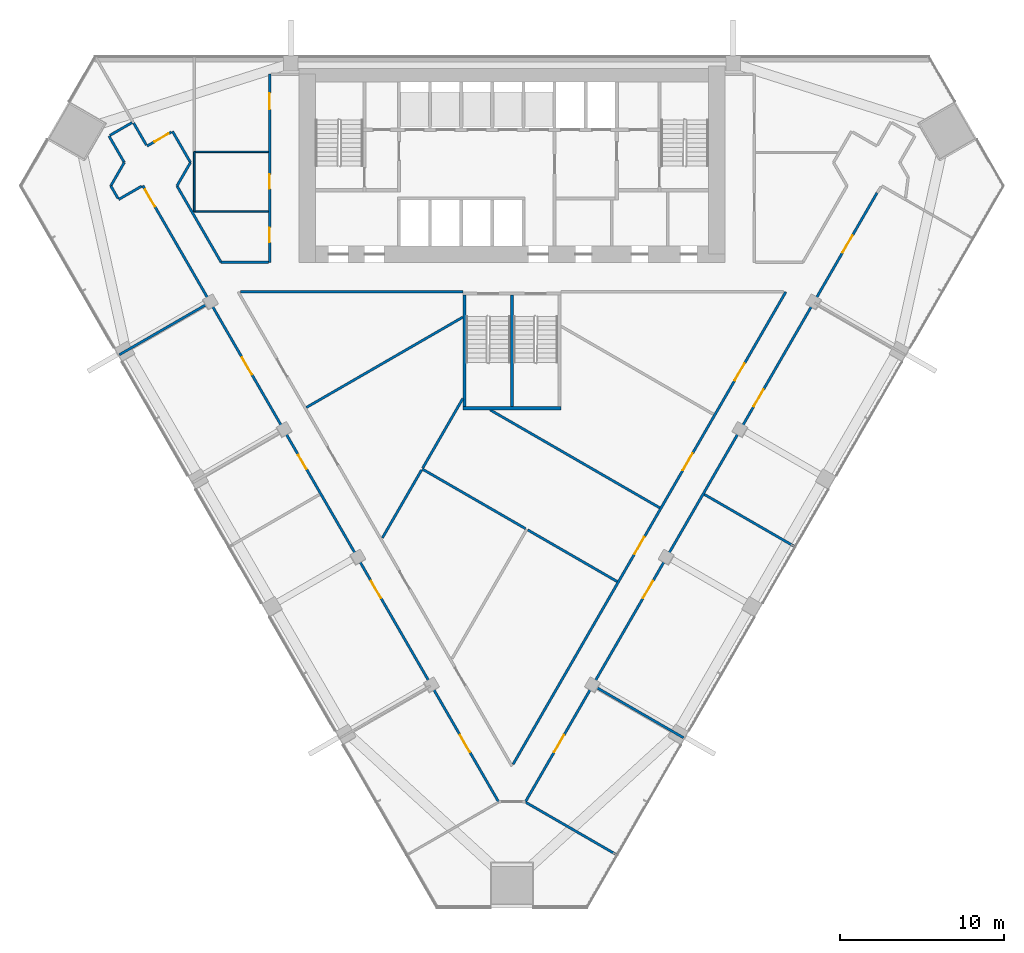
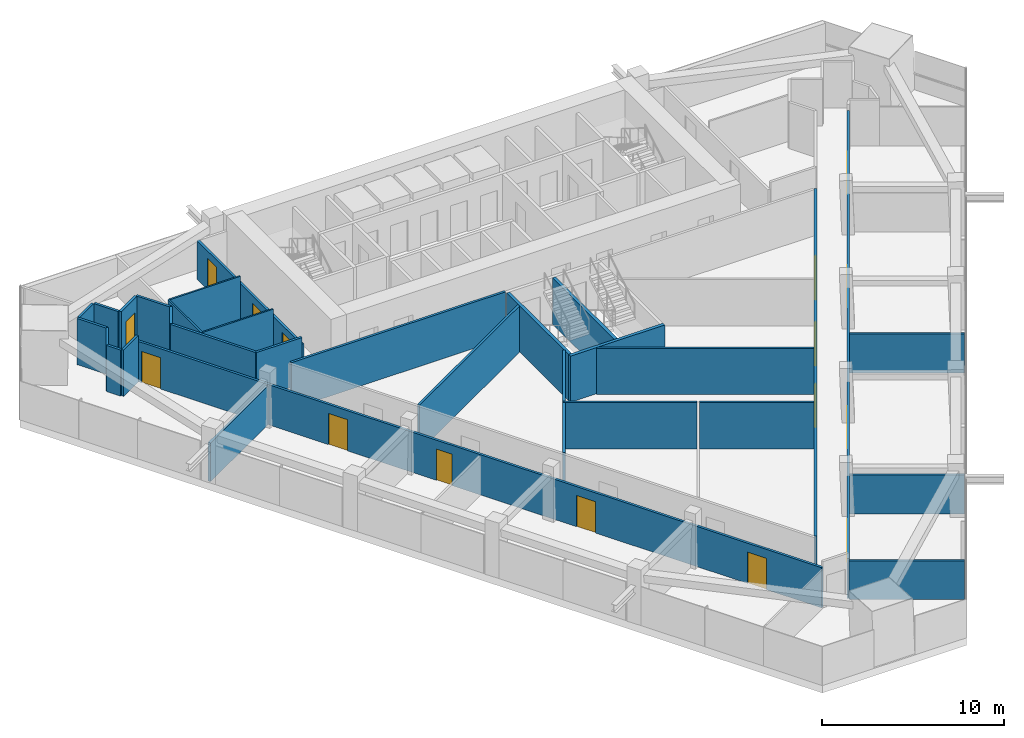
# One storey, part 9 of 13: 32 walls, 16 doors, 16 openings.
"""IFC4 building model written with IfcOpenShell, lengths in metres."""

import ifcopenshell
import ifcopenshell.guid

model = None  # the IFC model being written
_history = None  # IfcOwnerHistory: only IFC2X3 demands one
_inside = {}  # id of a spatial element -> (the spatial element, [elements in it])
_under = {}  # id of a project, library or spatial element -> (it, [spatial elements below it])
_declared = {}  # id of a project -> (the project, [libraries it declares])
_typed = {}  # id of a type object -> (the type object, [elements of that type])
_made_of = {}  # id of a material, layer set ... -> (it, [elements and type objects made of it])


def new_model(schema):
    """Start an empty IFC model of exactly this schema.

    Asked for "IFC4X3", IfcOpenShell would pick the latest addendum, in which some entities
    have other attributes; the version numbers below select the first issue.
    IFC2X3 requires an IfcOwnerHistory on every rooted entity: one is made here for all.
    """
    global model, _history
    if schema == "IFC4X3":
        model = ifcopenshell.file(schema_version=(4, 3, 0, 0))
    else:
        model = ifcopenshell.file(schema=schema)
    _inside.clear()
    _under.clear()
    _declared.clear()
    _typed.clear()
    _made_of.clear()
    _history = None
    if model.schema == "IFC2X3":
        org = make("IfcOrganization", Name="unknown")
        user = make(
            "IfcPersonAndOrganization",
            ThePerson=make("IfcPerson", FamilyName="unknown"),
            TheOrganization=org,
        )
        app = make(
            "IfcApplication",
            ApplicationDeveloper=org,
            Version="unknown",
            ApplicationFullName="unknown",
            ApplicationIdentifier="unknown",
        )
        _history = make(
            "IfcOwnerHistory",
            OwningUser=user,
            OwningApplication=app,
            ChangeAction="ADDED",
            CreationDate=0,
        )
    return model


def make(cls, **values):
    """One entity of the class cls with the attributes given. An attribute that is None is left unset."""
    return model.create_entity(
        cls, **{name: value for name, value in values.items() if value is not None}
    )


def rooted(cls, **values):
    """An entity with a GlobalId (a new one), such as an element, a storey or a relation."""
    return make(cls, GlobalId=ifcopenshell.guid.new(), OwnerHistory=_history, **values)


def si_unit(unit_type, name, prefix=None):
    """IfcSIUnit, for example si_unit("LENGTHUNIT", "METRE", prefix="MILLI")."""
    return make("IfcSIUnit", UnitType=unit_type, Prefix=prefix, Name=name)


def assignment(units):
    """IfcUnitAssignment: the units of a project."""
    return None if units is None else make("IfcUnitAssignment", Units=units)


def point(xyz):
    """IfcCartesianPoint."""
    return None if xyz is None else make("IfcCartesianPoint", Coordinates=xyz)


def direction(xyz):
    """IfcDirection."""
    return None if xyz is None else make("IfcDirection", DirectionRatios=xyz)


def frame(location, z_axis=None, x_axis=None):
    """IfcAxis2Placement3D, a coordinate frame: its origin and axes. An axis left out is left unset."""
    return make(
        "IfcAxis2Placement3D",
        Location=point(location),
        Axis=direction(z_axis),
        RefDirection=direction(x_axis),
    )


def frame_2d(location, x_axis=None):
    """IfcAxis2Placement2D, a coordinate frame in the plane: its origin and x axis."""
    return make(
        "IfcAxis2Placement2D", Location=point(location), RefDirection=direction(x_axis)
    )


def origin():
    """The frame at (0, 0, 0) with its axes left unset."""
    return frame((0.0, 0.0, 0.0))


def place(relative_to, where):
    """IfcLocalPlacement: puts the frame where relative to a parent placement (None: the world)."""
    return make(
        "IfcLocalPlacement", PlacementRelTo=relative_to, RelativePlacement=where
    )


def context(
    kind, dimensions, precision=None, world=None, true_north=None, identifier=None
):
    """IfcGeometricRepresentationContext, for example the 3D "Model" context."""
    return make(
        "IfcGeometricRepresentationContext",
        ContextIdentifier=identifier,
        ContextType=kind,
        CoordinateSpaceDimension=dimensions,
        Precision=precision,
        WorldCoordinateSystem=world,
        TrueNorth=true_north,
    )


def subcontext(parent, identifier, kind, view, scale=None):
    """IfcGeometricRepresentationSubContext, for example "Body" below "Model"."""
    return make(
        "IfcGeometricRepresentationSubContext",
        ContextIdentifier=identifier,
        ContextType=kind,
        ParentContext=parent,
        TargetScale=scale,
        TargetView=view,
    )


def project(units=None, contexts=None):
    """IfcProject with its units and contexts."""
    return rooted(
        "IfcProject",
        Name="project",
        RepresentationContexts=contexts,
        UnitsInContext=assignment(units),
    )


def spatial(cls, under=None, at=None, **own):
    """A site, building, storey or space (cls), placed at a placement, below another one or the project."""
    s = rooted(cls, ObjectPlacement=at, **own)
    if under is not None:
        _under.setdefault(under.id(), (under, []))[1].append(s)
    return s


def profile(cls, at=None, kind="AREA", **sizes):
    """A parametric profile (cls). Its sizes go by their IFC names, for example OverallWidth=200.0."""
    return make(cls, ProfileType=kind, Position=at, **sizes)


def rectangle(**sizes):
    """IfcRectangleProfileDef."""
    return profile("IfcRectangleProfileDef", **sizes)


def extrude(swept, where, along, depth):
    """IfcExtrudedAreaSolid: the profile swept, set in the frame where, extruded along a direction by depth."""
    return make(
        "IfcExtrudedAreaSolid",
        SweptArea=swept,
        Position=where,
        ExtrudedDirection=direction(along),
        Depth=depth,
    )


def shape(context_of_items, identifier, shape_type, items):
    """IfcShapeRepresentation: the items that make up one representation, for example the "Body"."""
    return make(
        "IfcShapeRepresentation",
        ContextOfItems=context_of_items,
        RepresentationIdentifier=identifier,
        RepresentationType=shape_type,
        Items=items,
    )


def material(Name=None, Category=None):
    """IfcMaterial."""
    return make("IfcMaterial", Name=Name, Category=Category)


def layer(
    of_material, thickness, ventilated=None, Name=None, Category=None, Priority=None
):
    """IfcMaterialLayer: one layer of a wall or slab, of a material (None: an air gap)."""
    return make(
        "IfcMaterialLayer",
        Material=of_material,
        LayerThickness=thickness,
        IsVentilated=ventilated,
        Name=Name,
        Category=Category,
        Priority=Priority,
    )


def layer_set(layers, Name=None):
    """IfcMaterialLayerSet."""
    return make("IfcMaterialLayerSet", MaterialLayers=layers, LayerSetName=Name)


def made_of(thing, what):
    """Note that an element or type object is made of a material, layer set ...; save() writes the relation."""
    if what is not None:
        _made_of.setdefault(what.id(), (what, []))[1].append(thing)
    return thing


def type_object(cls, material=None, **own):
    """A type object (cls), such as IfcWallType, which elements share."""
    return made_of(rooted(cls, **own), material)


def element(
    cls,
    number,
    at=None,
    inside=None,
    cuts=None,
    type_object=None,
    material=None,
    context=None,
    identifier="Body",
    shape_type=None,
    held_by="IfcProductDefinitionShape",
    body=None,
    shapes=None,
    **own,
):
    """One element of the class cls, such as IfcWall. Its Tag is "e" and its number.

    at: its placement. inside: the storey or other place that contains it. cuts: it is an
    opening in that element (IfcRelVoidsElement). A single representation is given by context,
    identifier, shape_type and body (its items); several are given by shapes. held_by: the class
    of the entity that holds the representations. save() writes the other relations.
    """
    e = rooted(cls, Tag="e%d" % number, ObjectPlacement=at, **own)
    if body is not None:
        shapes = [shape(context, identifier, shape_type, body)]
    if shapes is not None:
        e.Representation = make(held_by, Representations=shapes)
    if inside is not None:
        _inside.setdefault(inside.id(), (inside, []))[1].append(e)
    if cuts is not None:
        rooted(
            "IfcRelVoidsElement", RelatingBuildingElement=cuts, RelatedOpeningElement=e
        )
    if type_object is not None:
        _typed.setdefault(type_object.id(), (type_object, []))[1].append(e)
    return made_of(e, material)


def fill(opening, filler):
    """IfcRelFillsElement: the door or window that sits in an opening."""
    return rooted(
        "IfcRelFillsElement",
        RelatingOpeningElement=opening,
        RelatedBuildingElement=filler,
    )


def aggregate(whole, parts):
    """IfcRelAggregates: a whole, such as a stair, and the parts it consists of."""
    return rooted("IfcRelAggregates", RelatingObject=whole, RelatedObjects=parts)


def save(model, path):
    """Write the relations noted so far, then the file.

    IfcRelAggregates (storeys below a building ...), IfcRelContainedInSpatialStructure (elements
    in a storey), IfcRelDefinesByType, IfcRelAssociatesMaterial and IfcRelDeclares: one each for
    every whole, place, type object, material and project.
    """
    for whole, parts in _under.values():
        aggregate(whole, parts)
    for where, things in _inside.values():
        rooted(
            "IfcRelContainedInSpatialStructure",
            RelatedElements=things,
            RelatingStructure=where,
        )
    for kind, things in _typed.values():
        rooted("IfcRelDefinesByType", RelatedObjects=things, RelatingType=kind)
    for what, things in _made_of.values():
        rooted("IfcRelAssociatesMaterial", RelatedObjects=things, RelatingMaterial=what)
    for by, libraries in _declared.values():
        rooted("IfcRelDeclares", RelatingContext=by, RelatedDefinitions=libraries)
    model.write(path)


model = new_model("IFC4")

# Units and contexts
model_context = context("Model", 3, precision=1e-05, world=origin(), true_north=direction((0.0, 1.0)))
body_context = subcontext(model_context, "Body", "Model", "MODEL_VIEW")
ifc_project = project(units=[si_unit("LENGTHUNIT", "METRE"), si_unit("AREAUNIT", "SQUARE_METRE"), si_unit("VOLUMEUNIT", "CUBIC_METRE"), si_unit("PLANEANGLEUNIT", "RADIAN"), si_unit("MASSUNIT", "GRAM", prefix="KILO")], contexts=[model_context])

# Site, building, storey
site_placement = place(None, origin())
site = spatial("IfcSite", under=ifc_project, at=site_placement, CompositionType="ELEMENT")
building_placement = place(site_placement, origin())
building = spatial("IfcBuilding", under=site, at=building_placement, Name="Altiplano Prism Tower", CompositionType="ELEMENT")
storey_placement = place(building_placement, frame((0.0, 0.0, 66.60009765625)))
storey = spatial("IfcBuildingStorey", under=building, at=storey_placement, Name="L16", CompositionType="ELEMENT", Elevation=66.60009765625)

# Walls
ifc_material_1 = material(Name="Plasterboard on steel stud", Category="steel")
ifc_layer_1 = layer(ifc_material_1, 0.10009765625)
ifc_layer_set_1 = layer_set([ifc_layer_1], Name="Plasterboard on steel stud")
wall_type_1 = type_object("IfcWallType", Name="Partition 100 wet", PredefinedType="PARTITIONING", material=ifc_layer_set_1)
wall_1_placement = place(storey_placement, frame((70.125, 95.518310546875, 0.0), z_axis=(0.0, 0.0, 1.0), x_axis=(-1.0, 0.0, 0.0)))
element("IfcWall", 1, at=wall_1_placement, inside=storey, type_object=wall_type_1, Name="Partition P03 L16 035", PredefinedType="PARTITIONING", context=body_context, shape_type="SweptSolid", body=[
    extrude(rectangle(XDim=4.52099609375, YDim=0.10009765625, at=frame_2d((2.260498046875, 0.0))), origin(), (0.0, 0.0, 1.0), 3.099853515625),
])
wall_2_placement = place(storey_placement, frame((65.60400390625, 99.167724609375, 0.0), z_axis=(0.0, 0.0, 1.0), x_axis=(0.0, -1.0, 0.0)))
element("IfcWall", 2, at=wall_2_placement, inside=storey, type_object=wall_type_1, Name="Partition P03 L16 036", PredefinedType="PARTITIONING", context=body_context, shape_type="SweptSolid", body=[
    extrude(rectangle(XDim=3.66943359375, YDim=0.10009765625, at=frame_2d((1.834716796875, 0.0))), origin(), (0.0, 0.0, 1.0), 3.099853515625),
])
wall_3_placement = place(storey_placement, frame((70.125, 99.147705078125, 0.0), z_axis=(0.0, 0.0, 1.0), x_axis=(-1.0, 0.0, 0.0)))
element("IfcWall", 3, at=wall_3_placement, inside=storey, type_object=wall_type_1, Name="Partition P03 L16 037", PredefinedType="PARTITIONING", context=body_context, shape_type="SweptSolid", body=[
    extrude(rectangle(XDim=4.52099609375, YDim=0.10009765625, at=frame_2d((2.260498046875, 0.0))), origin(), (0.0, 0.0, 1.0), 3.099853515625),
])
ifc_layer_2 = layer(ifc_material_1, 0.14990234375)
ifc_layer_set_2 = layer_set([ifc_layer_2], Name="Plasterboard on steel stud")
wall_type_2 = type_object("IfcWallType", Name="Partition 150 corridor", PredefinedType="PARTITIONING", material=ifc_layer_set_2)
wall_4_placement = place(storey_placement, frame((70.125, 92.39990234375, 0.0), z_axis=(0.0, 0.0, 1.0), x_axis=(-1.0, 0.0, 0.0)))
element("IfcWall", 4, at=wall_4_placement, inside=storey, type_object=wall_type_2, Name="Partition P06 L16 001", PredefinedType="PARTITIONING", context=body_context, shape_type="SweptSolid", body=[
    extrude(rectangle(XDim=2.879638671875, YDim=0.14990234375, at=frame_2d((1.43994140625, 0.0))), origin(), (0.0, 0.0, 1.0), 3.099853515625),
])
wall_5_placement = place(storey_placement, frame((67.245361328125, 92.39990234375, 0.0), z_axis=(0.0, 0.0, 1.0), x_axis=(-0.499997913005, 0.866026608708, 0.0)))
element("IfcWall", 5, at=wall_5_placement, inside=storey, type_object=wall_type_2, Name="Partition P06 L16 002", PredefinedType="PARTITIONING", context=body_context, shape_type="SweptSolid", body=[
    extrude(rectangle(XDim=5.39599609375, YDim=0.14990234375, at=frame_2d((2.697998046875, 0.0))), origin(), (0.0, 0.0, 1.0), 3.099853515625),
])

# Wall, openings, doors
wall_6_placement = place(storey_placement, frame((70.199951171875, 103.89990234375, 0.0), z_axis=(0.0, 0.0, 1.0), x_axis=(0.0, -1.0, 0.0)))
wall_6 = element("IfcWall", 6, at=wall_6_placement, inside=storey, type_object=wall_type_2, Name="Partition P06 L16 003", PredefinedType="PARTITIONING", context=body_context, shape_type="SweptSolid", body=[
    extrude(rectangle(XDim=11.5, YDim=0.14990234375, at=frame_2d((5.75, 0.0))), origin(), (0.0, 0.0, 1.0), 2.599853515625),
])
opening_1_placement = place(wall_6_placement, frame((9.3720703125, 0.0, 0.0)))
opening_1 = element("IfcOpeningElement", 7, at=opening_1_placement, cuts=wall_6, Name="Opening D0623", PredefinedType="OPENING", context=body_context, shape_type="SweptSolid", body=[
    extrude(rectangle(XDim=0.89990234375, YDim=2.10009765625, at=frame_2d((0.449951171875, 1.050048828125))), frame((0.0, 0.08544921875, 0.0), z_axis=(0.0, -1.0, 0.0), x_axis=(1.0, 0.0, 0.0)), (0.0, 0.0, 1.0), 0.1708984375),
])
opening_2_placement = place(wall_6_placement, frame((6.116943359375, 0.0, 0.0)))
opening_2 = element("IfcOpeningElement", 8, at=opening_2_placement, cuts=wall_6, Name="Opening D0624", PredefinedType="OPENING", context=body_context, shape_type="SweptSolid", body=[
    extrude(rectangle(XDim=0.89990234375, YDim=2.10009765625, at=frame_2d((0.449951171875, 1.050048828125))), frame((0.0, 0.08544921875, 0.0), z_axis=(0.0, -1.0, 0.0), x_axis=(1.0, 0.0, 0.0)), (0.0, 0.0, 1.0), 0.1708984375),
])
opening_3_placement = place(wall_6_placement, frame((1.1630859375, 0.0, 0.0)))
opening_3 = element("IfcOpeningElement", 9, at=opening_3_placement, cuts=wall_6, Name="Opening D0626", PredefinedType="OPENING", context=body_context, shape_type="SweptSolid", body=[
    extrude(rectangle(XDim=1.0, YDim=2.10009765625, at=frame_2d((0.5, 1.050048828125))), frame((0.0, 0.08544921875, 0.0), z_axis=(0.0, -1.0, 0.0), x_axis=(1.0, 0.0, 0.0)), (0.0, 0.0, 1.0), 0.1708984375),
])
ifc_material_2 = material(Name="Timber", Category="wood")
door_type_1 = type_object("IfcDoorType", Name="Store door 1000 x 2100", OperationType="NOTDEFINED", PredefinedType="NOTDEFINED", material=ifc_material_2)
door_1_placement = place(opening_3_placement, origin())
door_1 = element("IfcDoor", 10, at=door_1_placement, inside=storey, type_object=door_type_1, Name="Door D0626", OperationType="SINGLE_SWING_LEFT", OverallHeight=2.10009765625, OverallWidth=1.0, PredefinedType="NOTDEFINED", context=body_context, shape_type="SweptSolid", body=[
    extrude(rectangle(XDim=1.0, YDim=2.10009765625, at=frame_2d((0.5, 1.050048828125))), frame((0.0, 0.02490234375, 0.0), z_axis=(0.0, -1.0, 0.0), x_axis=(1.0, 0.0, 0.0)), (0.0, 0.0, 1.0), 0.050048828125),
])
fill(opening_3, door_1)
door_type_2 = type_object("IfcDoorType", Name="Toilet door 900 x 2100", OperationType="NOTDEFINED", PredefinedType="NOTDEFINED", material=ifc_material_2)
door_2_placement = place(opening_1_placement, origin())
door_2 = element("IfcDoor", 11, at=door_2_placement, inside=storey, type_object=door_type_2, Name="Door D0623", OperationType="SINGLE_SWING_LEFT", OverallHeight=2.10009765625, OverallWidth=0.89990234375, PredefinedType="NOTDEFINED", context=body_context, shape_type="SweptSolid", body=[
    extrude(rectangle(XDim=0.89990234375, YDim=2.10009765625, at=frame_2d((0.449951171875, 1.050048828125))), frame((0.0, 0.02490234375, 0.0), z_axis=(0.0, -1.0, 0.0), x_axis=(1.0, 0.0, 0.0)), (0.0, 0.0, 1.0), 0.050048828125),
])
fill(opening_1, door_2)
door_3_placement = place(opening_2_placement, origin())
door_3 = element("IfcDoor", 12, at=door_3_placement, inside=storey, type_object=door_type_2, Name="Door D0624", OperationType="SINGLE_SWING_LEFT", OverallHeight=2.10009765625, OverallWidth=0.89990234375, PredefinedType="NOTDEFINED", context=body_context, shape_type="SweptSolid", body=[
    extrude(rectangle(XDim=0.89990234375, YDim=2.10009765625, at=frame_2d((0.449951171875, 1.050048828125))), frame((0.0, 0.02490234375, 0.0), z_axis=(0.0, -1.0, 0.0), x_axis=(1.0, 0.0, 0.0)), (0.0, 0.0, 1.0), 0.050048828125),
])
fill(opening_2, door_3)

# Walls
wall_7_placement = place(storey_placement, frame((64.54736328125, 97.072998046875, 0.0), z_axis=(0.0, 0.0, 1.0), x_axis=(0.500043078269, 0.866000531106, 0.0)))
element("IfcWall", 13, at=wall_7_placement, inside=storey, type_object=wall_type_2, Name="Partition P06 L16 004", PredefinedType="PARTITIONING", context=body_context, shape_type="SweptSolid", body=[
    extrude(rectangle(XDim=1.647705078125, YDim=0.14990234375, at=frame_2d((0.82373046875, 0.0))), origin(), (0.0, 0.0, 1.0), 3.099853515625),
])
wall_8_placement = place(storey_placement, frame((65.371337890625, 98.5, 0.0), z_axis=(0.0, 0.0, 1.0), x_axis=(-0.500005024956, 0.866022502605, 0.0)))
element("IfcWall", 14, at=wall_8_placement, inside=storey, type_object=wall_type_2, Name="Partition P06 L16 005", PredefinedType="PARTITIONING", context=body_context, shape_type="SweptSolid", body=[
    extrude(rectangle(XDim=2.19384765625, YDim=0.14990234375, at=frame_2d((1.096923828125, 0.0))), origin(), (0.0, 0.0, 1.0), 3.099853515625),
])

# Wall, opening, door
wall_9_placement = place(storey_placement, frame((64.20947265625, 100.362548828125, 0.0), z_axis=(0.0, 0.0, 1.0), x_axis=(-0.866013532718, -0.500020560727, 0.0)))
wall_9 = element("IfcWall", 15, at=wall_9_placement, inside=storey, type_object=wall_type_2, Name="Partition P06 L16 006", PredefinedType="PARTITIONING", context=body_context, shape_type="SweptSolid", body=[
    extrude(rectangle(XDim=1.72509765625, YDim=0.14990234375, at=frame_2d((0.862548828125, 0.0))), origin(), (0.0, 0.0, 1.0), 3.099853515625),
])
opening_4_placement = place(wall_9_placement, frame((0.199951171875, 0.0, 0.0)))
opening_4 = element("IfcOpeningElement", 16, at=opening_4_placement, cuts=wall_9, Name="Opening D0625", PredefinedType="OPENING", context=body_context, shape_type="SweptSolid", body=[
    extrude(rectangle(XDim=1.0, YDim=2.10009765625, at=frame_2d((0.5, 1.050048828125))), frame((0.0, 0.08544921875, 0.0), z_axis=(0.0, -1.0, 0.0), x_axis=(1.0, 0.0, 0.0)), (0.0, 0.0, 1.0), 0.1708984375),
])
door_4_placement = place(opening_4_placement, origin())
door_4 = element("IfcDoor", 17, at=door_4_placement, inside=storey, type_object=door_type_1, Name="Door D0625", OperationType="SINGLE_SWING_LEFT", OverallHeight=2.10009765625, OverallWidth=1.0, PredefinedType="NOTDEFINED", context=body_context, shape_type="SweptSolid", body=[
    extrude(rectangle(XDim=1.0, YDim=2.10009765625, at=frame_2d((0.5, 1.050048828125))), frame((0.0, 0.02490234375, 0.0), z_axis=(0.0, -1.0, 0.0), x_axis=(1.0, 0.0, 0.0)), (0.0, 0.0, 1.0), 0.050048828125),
])
fill(opening_4, door_4)

# Walls
wall_10_placement = place(storey_placement, frame((62.677978515625, 99.56494140625, 0.0), z_axis=(0.0, 0.0, 1.0), x_axis=(-0.499967891604, 0.866043940782, 0.0)))
element("IfcWall", 18, at=wall_10_placement, inside=storey, type_object=wall_type_2, Name="Partition P06 L16 007", PredefinedType="PARTITIONING", context=body_context, shape_type="SweptSolid", body=[
    extrude(rectangle(XDim=1.5498046875, YDim=0.14990234375, at=frame_2d((0.77490234375, 0.0))), origin(), (0.0, 0.0, 1.0), 3.099853515625),
])
wall_11_placement = place(storey_placement, frame((61.800537109375, 100.934814453125, 0.0), z_axis=(0.0, 0.0, 1.0), x_axis=(-0.865975732936, -0.500086022567, 0.0)))
element("IfcWall", 19, at=wall_11_placement, inside=storey, type_object=wall_type_2, Name="Partition P06 L16 009", PredefinedType="PARTITIONING", context=body_context, shape_type="SweptSolid", body=[
    extrude(rectangle(XDim=1.550048828125, YDim=0.14990234375, at=frame_2d((0.77490234375, 0.0))), origin(), (0.0, 0.0, 1.0), 3.099853515625),
])
wall_12_placement = place(storey_placement, frame((60.393310546875, 100.122314453125, 0.0), z_axis=(0.0, 0.0, 1.0), x_axis=(0.499951854219, -0.86605319898, 0.0)))
element("IfcWall", 20, at=wall_12_placement, inside=storey, type_object=wall_type_2, Name="Partition P06 L16 010", PredefinedType="PARTITIONING", context=body_context, shape_type="SweptSolid", body=[
    extrude(rectangle(XDim=1.873291015625, YDim=0.14990234375, at=frame_2d((0.9365234375, 0.0))), origin(), (0.0, 0.0, 1.0), 3.099853515625),
])
wall_13_placement = place(storey_placement, frame((61.329833984375, 98.5, 0.0), z_axis=(0.0, 0.0, 1.0), x_axis=(-0.500043078269, -0.866000531106, 0.0)))
element("IfcWall", 21, at=wall_13_placement, inside=storey, type_object=wall_type_2, Name="Partition P06 L16 011", PredefinedType="PARTITIONING", context=body_context, shape_type="SweptSolid", body=[
    extrude(rectangle(XDim=1.647705078125, YDim=0.14990234375, at=frame_2d((0.82373046875, 0.0))), origin(), (0.0, 0.0, 1.0), 3.099853515625),
])
wall_14_placement = place(storey_placement, frame((60.505859375, 97.072998046875, 0.0), z_axis=(0.0, 0.0, 1.0), x_axis=(0.500001430823, -0.866024577697, 0.0)))
element("IfcWall", 22, at=wall_14_placement, inside=storey, type_object=wall_type_2, Name="Partition P06 L16 012", PredefinedType="PARTITIONING", context=body_context, shape_type="SweptSolid", body=[
    extrude(rectangle(XDim=0.8837890625, YDim=0.14990234375, at=frame_2d((0.44189453125, 0.0))), origin(), (0.0, 0.0, 1.0), 3.099853515625),
])
wall_15_placement = place(storey_placement, frame((60.9853515625, 96.24267578125, 0.0), z_axis=(0.0, 0.0, 1.0), x_axis=(0.866015446554, 0.500017246033, 0.0)))
element("IfcWall", 23, at=wall_15_placement, inside=storey, type_object=wall_type_2, Name="Partition P06 L16 013", PredefinedType="PARTITIONING", context=body_context, shape_type="SweptSolid", body=[
    extrude(rectangle(XDim=1.625, YDim=0.14990234375, at=frame_2d((0.8125, 0.0))), origin(), (0.0, 0.0, 1.0), 3.099853515625),
])

# Wall, openings, doors
wall_16_placement = place(storey_placement, frame((62.45751953125, 97.0927734375, 0.0), z_axis=(0.0, 0.0, 1.0), x_axis=(0.499998802074, -0.866026095406, 0.0)))
wall_16 = element("IfcWall", 24, at=wall_16_placement, inside=storey, type_object=wall_type_2, Name="Partition P06 L16 014", PredefinedType="PARTITIONING", context=body_context, shape_type="SweptSolid", body=[
    extrude(rectangle(XDim=43.43701171875, YDim=0.14990234375, at=frame_2d((21.718505859375, 0.0))), origin(), (0.0, 0.0, 1.0), 2.699951171875),
])
opening_5_placement = place(wall_16_placement, frame((0.285888671875, 0.0, 0.0)))
opening_5 = element("IfcOpeningElement", 25, at=opening_5_placement, cuts=wall_16, Name="Opening D0627", PredefinedType="OPENING", context=body_context, shape_type="SweptSolid", body=[
    extrude(rectangle(XDim=1.199951171875, YDim=2.10009765625, at=frame_2d((0.60009765625, 1.050048828125))), frame((0.0, 0.08544921875, 0.0), z_axis=(0.0, -1.0, 0.0), x_axis=(1.0, 0.0, 0.0)), (0.0, 0.0, 1.0), 0.1708984375),
])
opening_6_placement = place(wall_16_placement, frame((12.1298828125, 0.0, 0.0)))
opening_6 = element("IfcOpeningElement", 26, at=opening_6_placement, cuts=wall_16, Name="Opening D0628", PredefinedType="OPENING", context=body_context, shape_type="SweptSolid", body=[
    extrude(rectangle(XDim=1.199951171875, YDim=2.10009765625, at=frame_2d((0.60009765625, 1.050048828125))), frame((0.0, 0.08544921875, 0.0), z_axis=(0.0, -1.0, 0.0), x_axis=(1.0, 0.0, 0.0)), (0.0, 0.0, 1.0), 0.1708984375),
])
opening_7_placement = place(wall_16_placement, frame((18.97998046875, 0.0, 0.0)))
opening_7 = element("IfcOpeningElement", 27, at=opening_7_placement, cuts=wall_16, Name="Opening D0629", PredefinedType="OPENING", context=body_context, shape_type="SweptSolid", body=[
    extrude(rectangle(XDim=1.0, YDim=2.10009765625, at=frame_2d((0.5, 1.050048828125))), frame((0.0, 0.08544921875, 0.0), z_axis=(0.0, -1.0, 0.0), x_axis=(1.0, 0.0, 0.0)), (0.0, 0.0, 1.0), 0.1708984375),
])
opening_8_placement = place(wall_16_placement, frame((27.8798828125, 0.0, 0.0)))
opening_8 = element("IfcOpeningElement", 28, at=opening_8_placement, cuts=wall_16, Name="Opening D0630", PredefinedType="OPENING", context=body_context, shape_type="SweptSolid", body=[
    extrude(rectangle(XDim=1.199951171875, YDim=2.10009765625, at=frame_2d((0.60009765625, 1.050048828125))), frame((0.0, 0.08544921875, 0.0), z_axis=(0.0, -1.0, 0.0), x_axis=(1.0, 0.0, 0.0)), (0.0, 0.0, 1.0), 0.1708984375),
])
opening_9_placement = place(wall_16_placement, frame((38.7451171875, 0.0, 0.0)))
opening_9 = element("IfcOpeningElement", 29, at=opening_9_placement, cuts=wall_16, Name="Opening D0631", PredefinedType="OPENING", context=body_context, shape_type="SweptSolid", body=[
    extrude(rectangle(XDim=1.199951171875, YDim=2.10009765625, at=frame_2d((0.60009765625, 1.050048828125))), frame((0.0, 0.08544921875, 0.0), z_axis=(0.0, -1.0, 0.0), x_axis=(1.0, 0.0, 0.0)), (0.0, 0.0, 1.0), 0.1708984375),
])
door_type_3 = type_object("IfcDoorType", Name="Room door 1000 x 2100", OperationType="NOTDEFINED", PredefinedType="NOTDEFINED", material=ifc_material_2)
door_5_placement = place(opening_7_placement, origin())
door_5 = element("IfcDoor", 30, at=door_5_placement, inside=storey, type_object=door_type_3, Name="Door D0629", OperationType="SINGLE_SWING_LEFT", OverallHeight=2.10009765625, OverallWidth=1.0, PredefinedType="NOTDEFINED", context=body_context, shape_type="SweptSolid", body=[
    extrude(rectangle(XDim=1.0, YDim=2.10009765625, at=frame_2d((0.5, 1.050048828125))), frame((0.0, 0.02490234375, 0.0), z_axis=(0.0, -1.0, 0.0), x_axis=(1.0, 0.0, 0.0)), (0.0, 0.0, 1.0), 0.050048828125),
])
fill(opening_7, door_5)
door_type_4 = type_object("IfcDoorType", Name="Shared room door 1200 x 2100", OperationType="NOTDEFINED", PredefinedType="NOTDEFINED", material=ifc_material_2)
door_6_placement = place(opening_5_placement, origin())
door_6 = element("IfcDoor", 31, at=door_6_placement, inside=storey, type_object=door_type_4, Name="Door D0627", OperationType="SINGLE_SWING_RIGHT", OverallHeight=2.10009765625, OverallWidth=1.199951171875, PredefinedType="NOTDEFINED", context=body_context, shape_type="SweptSolid", body=[
    extrude(rectangle(XDim=1.199951171875, YDim=2.10009765625, at=frame_2d((0.60009765625, 1.050048828125))), frame((0.0, 0.02490234375, 0.0), z_axis=(0.0, -1.0, 0.0), x_axis=(1.0, 0.0, 0.0)), (0.0, 0.0, 1.0), 0.050048828125),
])
fill(opening_5, door_6)
door_7_placement = place(opening_6_placement, origin())
door_7 = element("IfcDoor", 32, at=door_7_placement, inside=storey, type_object=door_type_4, Name="Door D0628", OperationType="SINGLE_SWING_RIGHT", OverallHeight=2.10009765625, OverallWidth=1.199951171875, PredefinedType="NOTDEFINED", context=body_context, shape_type="SweptSolid", body=[
    extrude(rectangle(XDim=1.199951171875, YDim=2.10009765625, at=frame_2d((0.60009765625, 1.050048828125))), frame((0.0, 0.02490234375, 0.0), z_axis=(0.0, -1.0, 0.0), x_axis=(1.0, 0.0, 0.0)), (0.0, 0.0, 1.0), 0.050048828125),
])
fill(opening_6, door_7)
door_8_placement = place(opening_8_placement, origin())
door_8 = element("IfcDoor", 33, at=door_8_placement, inside=storey, type_object=door_type_4, Name="Door D0630", OperationType="SINGLE_SWING_RIGHT", OverallHeight=2.10009765625, OverallWidth=1.199951171875, PredefinedType="NOTDEFINED", context=body_context, shape_type="SweptSolid", body=[
    extrude(rectangle(XDim=1.199951171875, YDim=2.10009765625, at=frame_2d((0.60009765625, 1.050048828125))), frame((0.0, 0.02490234375, 0.0), z_axis=(0.0, -1.0, 0.0), x_axis=(1.0, 0.0, 0.0)), (0.0, 0.0, 1.0), 0.050048828125),
])
fill(opening_8, door_8)
door_9_placement = place(opening_9_placement, origin())
door_9 = element("IfcDoor", 34, at=door_9_placement, inside=storey, type_object=door_type_4, Name="Door D0631", OperationType="SINGLE_SWING_RIGHT", OverallHeight=2.10009765625, OverallWidth=1.199951171875, PredefinedType="NOTDEFINED", context=body_context, shape_type="SweptSolid", body=[
    extrude(rectangle(XDim=1.199951171875, YDim=2.10009765625, at=frame_2d((0.60009765625, 1.050048828125))), frame((0.0, 0.02490234375, 0.0), z_axis=(0.0, -1.0, 0.0), x_axis=(1.0, 0.0, 0.0)), (0.0, 0.0, 1.0), 0.050048828125),
])
fill(opening_9, door_9)

wall_17_placement = place(storey_placement, frame((85.823974609375, 59.47509765625, 0.0), z_axis=(0.0, 0.0, 1.0), x_axis=(0.499998498473, 0.86602627069, 0.0)))
wall_17 = element("IfcWall", 35, at=wall_17_placement, inside=storey, type_object=wall_type_2, Name="Partition P06 L16 016", PredefinedType="PARTITIONING", context=body_context, shape_type="SweptSolid", body=[
    extrude(rectangle(XDim=42.923583984375, YDim=0.14990234375, at=frame_2d((21.4619140625, 0.0))), origin(), (0.0, 0.0, 1.0), 2.699951171875),
])
opening_10_placement = place(wall_17_placement, frame((3.491943359375, 0.0, 0.0)))
opening_10 = element("IfcOpeningElement", 36, at=opening_10_placement, cuts=wall_17, Name="Opening D0633", PredefinedType="OPENING", context=body_context, shape_type="SweptSolid", body=[
    extrude(rectangle(XDim=1.199951171875, YDim=2.10009765625, at=frame_2d((0.60009765625, 1.050048828125))), frame((0.0, 0.08544921875, 0.0), z_axis=(0.0, -1.0, 0.0), x_axis=(1.0, 0.0, 0.0)), (0.0, 0.0, 1.0), 0.1708984375),
])
opening_11_placement = place(wall_17_placement, frame((14.35693359375, 0.0, 0.0)))
opening_11 = element("IfcOpeningElement", 37, at=opening_11_placement, cuts=wall_17, Name="Opening D0634", PredefinedType="OPENING", context=body_context, shape_type="SweptSolid", body=[
    extrude(rectangle(XDim=1.199951171875, YDim=2.10009765625, at=frame_2d((0.60009765625, 1.050048828125))), frame((0.0, 0.08544921875, 0.0), z_axis=(0.0, -1.0, 0.0), x_axis=(1.0, 0.0, 0.0)), (0.0, 0.0, 1.0), 0.1708984375),
])
opening_12_placement = place(wall_17_placement, frame((27.85693359375, 0.0, 0.0)))
opening_12 = element("IfcOpeningElement", 38, at=opening_12_placement, cuts=wall_17, Name="Opening D0635", PredefinedType="OPENING", context=body_context, shape_type="SweptSolid", body=[
    extrude(rectangle(XDim=1.199951171875, YDim=2.10009765625, at=frame_2d((0.60009765625, 1.050048828125))), frame((0.0, 0.08544921875, 0.0), z_axis=(0.0, -1.0, 0.0), x_axis=(1.0, 0.0, 0.0)), (0.0, 0.0, 1.0), 0.1708984375),
])
opening_13_placement = place(wall_17_placement, frame((38.720947265625, 0.0, 0.0)))
opening_13 = element("IfcOpeningElement", 39, at=opening_13_placement, cuts=wall_17, Name="Opening D0636", PredefinedType="OPENING", context=body_context, shape_type="SweptSolid", body=[
    extrude(rectangle(XDim=1.199951171875, YDim=2.10009765625, at=frame_2d((0.60009765625, 1.050048828125))), frame((0.0, 0.08544921875, 0.0), z_axis=(0.0, -1.0, 0.0), x_axis=(1.0, 0.0, 0.0)), (0.0, 0.0, 1.0), 0.1708984375),
])
door_10_placement = place(opening_10_placement, origin())
door_10 = element("IfcDoor", 40, at=door_10_placement, inside=storey, type_object=door_type_4, Name="Door D0633", OperationType="SINGLE_SWING_LEFT", OverallHeight=2.10009765625, OverallWidth=1.199951171875, PredefinedType="NOTDEFINED", context=body_context, shape_type="SweptSolid", body=[
    extrude(rectangle(XDim=1.199951171875, YDim=2.10009765625, at=frame_2d((0.60009765625, 1.050048828125))), frame((0.0, 0.02490234375, 0.0), z_axis=(0.0, -1.0, 0.0), x_axis=(1.0, 0.0, 0.0)), (0.0, 0.0, 1.0), 0.050048828125),
])
fill(opening_10, door_10)
door_11_placement = place(opening_11_placement, origin())
door_11 = element("IfcDoor", 41, at=door_11_placement, inside=storey, type_object=door_type_4, Name="Door D0634", OperationType="SINGLE_SWING_RIGHT", OverallHeight=2.10009765625, OverallWidth=1.199951171875, PredefinedType="NOTDEFINED", context=body_context, shape_type="SweptSolid", body=[
    extrude(rectangle(XDim=1.199951171875, YDim=2.10009765625, at=frame_2d((0.60009765625, 1.050048828125))), frame((0.0, 0.02490234375, 0.0), z_axis=(0.0, -1.0, 0.0), x_axis=(1.0, 0.0, 0.0)), (0.0, 0.0, 1.0), 0.050048828125),
])
fill(opening_11, door_11)
door_12_placement = place(opening_12_placement, origin())
door_12 = element("IfcDoor", 42, at=door_12_placement, inside=storey, type_object=door_type_4, Name="Door D0635", OperationType="SINGLE_SWING_RIGHT", OverallHeight=2.10009765625, OverallWidth=1.199951171875, PredefinedType="NOTDEFINED", context=body_context, shape_type="SweptSolid", body=[
    extrude(rectangle(XDim=1.199951171875, YDim=2.10009765625, at=frame_2d((0.60009765625, 1.050048828125))), frame((0.0, 0.02490234375, 0.0), z_axis=(0.0, -1.0, 0.0), x_axis=(1.0, 0.0, 0.0)), (0.0, 0.0, 1.0), 0.050048828125),
])
fill(opening_12, door_12)
door_13_placement = place(opening_13_placement, origin())
door_13 = element("IfcDoor", 43, at=door_13_placement, inside=storey, type_object=door_type_4, Name="Door D0636", OperationType="SINGLE_SWING_RIGHT", OverallHeight=2.10009765625, OverallWidth=1.199951171875, PredefinedType="NOTDEFINED", context=body_context, shape_type="SweptSolid", body=[
    extrude(rectangle(XDim=1.199951171875, YDim=2.10009765625, at=frame_2d((0.60009765625, 1.050048828125))), frame((0.0, 0.02490234375, 0.0), z_axis=(0.0, -1.0, 0.0), x_axis=(1.0, 0.0, 0.0)), (0.0, 0.0, 1.0), 0.050048828125),
])
fill(opening_13, door_13)

wall_18_placement = place(storey_placement, frame((101.71533203125, 90.60009765625, 0.0), z_axis=(0.0, 0.0, 1.0), x_axis=(-0.499996397115, -0.866027483901, 0.0)))
wall_18 = element("IfcWall", 44, at=wall_18_placement, inside=storey, type_object=wall_type_2, Name="Partition P06 L16 019", PredefinedType="PARTITIONING", context=body_context, shape_type="SweptSolid", body=[
    extrude(rectangle(XDim=33.301025390625, YDim=0.14990234375, at=frame_2d((16.650390625, 0.0))), origin(), (0.0, 0.0, 1.0), 3.099853515625),
])
opening_14_placement = place(wall_18_placement, frame((17.2880859375, 0.0, 0.0)))
opening_14 = element("IfcOpeningElement", 45, at=opening_14_placement, cuts=wall_18, Name="Opening D0638", PredefinedType="OPENING", context=body_context, shape_type="SweptSolid", body=[
    extrude(rectangle(XDim=1.199951171875, YDim=2.10009765625, at=frame_2d((0.60009765625, 1.050048828125))), frame((0.0, 0.08544921875, 0.0), z_axis=(0.0, -1.0, 0.0), x_axis=(1.0, 0.0, 0.0)), (0.0, 0.0, 1.0), 0.1708984375),
])
opening_15_placement = place(wall_18_placement, frame((11.3740234375, 0.0, 0.0)))
opening_15 = element("IfcOpeningElement", 46, at=opening_15_placement, cuts=wall_18, Name="Opening D0639", PredefinedType="OPENING", context=body_context, shape_type="SweptSolid", body=[
    extrude(rectangle(XDim=1.199951171875, YDim=2.10009765625, at=frame_2d((0.60009765625, 1.050048828125))), frame((0.0, 0.08544921875, 0.0), z_axis=(0.0, -1.0, 0.0), x_axis=(1.0, 0.0, 0.0)), (0.0, 0.0, 1.0), 0.1708984375),
])
opening_16_placement = place(wall_18_placement, frame((5.04296875, 0.0, 0.0)))
opening_16 = element("IfcOpeningElement", 47, at=opening_16_placement, cuts=wall_18, Name="Opening D0641", PredefinedType="OPENING", context=body_context, shape_type="SweptSolid", body=[
    extrude(rectangle(XDim=1.199951171875, YDim=2.10009765625, at=frame_2d((0.60009765625, 1.050048828125))), frame((0.0, 0.08544921875, 0.0), z_axis=(0.0, -1.0, 0.0), x_axis=(1.0, 0.0, 0.0)), (0.0, 0.0, 1.0), 0.1708984375),
])
door_14_placement = place(opening_14_placement, origin())
door_14 = element("IfcDoor", 48, at=door_14_placement, inside=storey, type_object=door_type_4, Name="Door D0638", OperationType="SINGLE_SWING_RIGHT", OverallHeight=2.10009765625, OverallWidth=1.199951171875, PredefinedType="NOTDEFINED", context=body_context, shape_type="SweptSolid", body=[
    extrude(rectangle(XDim=1.199951171875, YDim=2.10009765625, at=frame_2d((0.60009765625, 1.050048828125))), frame((0.0, 0.02490234375, 0.0), z_axis=(0.0, -1.0, 0.0), x_axis=(1.0, 0.0, 0.0)), (0.0, 0.0, 1.0), 0.050048828125),
])
fill(opening_14, door_14)
door_15_placement = place(opening_15_placement, origin())
door_15 = element("IfcDoor", 49, at=door_15_placement, inside=storey, type_object=door_type_4, Name="Door D0639", OperationType="SINGLE_SWING_LEFT", OverallHeight=2.10009765625, OverallWidth=1.199951171875, PredefinedType="NOTDEFINED", context=body_context, shape_type="SweptSolid", body=[
    extrude(rectangle(XDim=1.199951171875, YDim=2.10009765625, at=frame_2d((0.60009765625, 1.050048828125))), frame((0.0, 0.02490234375, 0.0), z_axis=(0.0, -1.0, 0.0), x_axis=(1.0, 0.0, 0.0)), (0.0, 0.0, 1.0), 0.050048828125),
])
fill(opening_15, door_15)
door_16_placement = place(opening_16_placement, origin())
door_16 = element("IfcDoor", 50, at=door_16_placement, inside=storey, type_object=door_type_4, Name="Door D0641", OperationType="SINGLE_SWING_RIGHT", OverallHeight=2.10009765625, OverallWidth=1.199951171875, PredefinedType="NOTDEFINED", context=body_context, shape_type="SweptSolid", body=[
    extrude(rectangle(XDim=1.199951171875, YDim=2.10009765625, at=frame_2d((0.60009765625, 1.050048828125))), frame((0.0, 0.02490234375, 0.0), z_axis=(0.0, -1.0, 0.0), x_axis=(1.0, 0.0, 0.0)), (0.0, 0.0, 1.0), 0.050048828125),
])
fill(opening_16, door_16)

# Walls
wall_19_placement = place(storey_placement, frame((68.41455078125, 90.60009765625, 0.0), z_axis=(0.0, 0.0, 1.0), x_axis=(0.999999997416, -7.1882974e-05, 0.0)))
element("IfcWall", 51, at=wall_19_placement, inside=storey, type_object=wall_type_2, Name="Partition P06 L16 022", PredefinedType="PARTITIONING", context=body_context, shape_type="SweptSolid", body=[
    extrude(rectangle(XDim=13.58544921875, YDim=0.14990234375, at=frame_2d((6.792724609375, 0.0))), origin(), (0.0, 0.0, 1.0), 3.099853515625),
])
ifc_layer_3 = layer(ifc_material_1, 0.14990234375)
ifc_layer_set_3 = layer_set([ifc_layer_3], Name="Plasterboard on steel stud")
wall_type_3 = type_object("IfcWallType", Name="Partition 150 party", PredefinedType="PARTITIONING", material=ifc_layer_set_3)
wall_20_placement = place(storey_placement, frame((61.030029296875, 86.765380859375, 0.0), z_axis=(0.0, 0.0, 1.0), x_axis=(0.866015887322, 0.500016482634, 0.0)))
element("IfcWall", 52, at=wall_20_placement, inside=storey, type_object=wall_type_3, Name="Partition P01 L16 040", PredefinedType="PARTITIONING", context=body_context, shape_type="SweptSolid", body=[
    extrude(rectangle(XDim=6.324951171875, YDim=0.14990234375, at=frame_2d((3.16259765625, 0.0))), origin(), (0.0, 0.0, 1.0), 2.599853515625),
])
wall_21_placement = place(storey_placement, frame((91.35498046875, 56.25537109375, 0.0), z_axis=(0.0, 0.0, 1.0), x_axis=(-0.866028341908, 0.499994910987, 0.0)))
element("IfcWall", 53, at=wall_21_placement, inside=storey, type_object=wall_type_3, Name="Partition P01 L16 045", PredefinedType="PARTITIONING", context=body_context, shape_type="SweptSolid", body=[
    extrude(rectangle(XDim=6.3603515625, YDim=0.14990234375, at=frame_2d((3.18017578125, 0.0))), origin(), (0.0, 0.0, 1.0), 2.599853515625),
])
for number, where, z_axis, x_axis, name in (
    (54, (95.469970703125, 63.382568359375, 0.0), (0.0, 0.0, 1.0), (-0.866015887322, 0.500016482634, 0.0), "Partition P01 L16 046"),
    (55, (102.219970703125, 75.073974609375, 0.0), (0.0, 0.0, 1.0), (-0.866015887322, 0.500016482634, 0.0), "Partition P01 L16 047"),
):
    element("IfcWall", number, at=place(storey_placement, frame(where, z_axis=z_axis, x_axis=x_axis)), inside=storey, type_object=wall_type_3, Name=name, PredefinedType="PARTITIONING", context=body_context, shape_type="SweptSolid", body=[
        extrude(rectangle(XDim=6.324951171875, YDim=0.14990234375, at=frame_2d((3.16259765625, 0.0))), origin(), (0.0, 0.0, 1.0), 2.599853515625),
    ])
wall_22_placement = place(storey_placement, frame((91.419921875, 72.91748046875, 0.0), z_axis=(0.0, 0.0, 1.0), x_axis=(-0.866031374414, 0.499989658424, 0.0)))
element("IfcWall", 56, at=wall_22_placement, inside=storey, type_object=wall_type_3, Name="Partition P01 L16 050", PredefinedType="PARTITIONING", context=body_context, shape_type="SweptSolid", body=[
    extrude(rectangle(XDim=6.301025390625, YDim=0.14990234375, at=frame_2d((3.150390625, 0.0))), origin(), (0.0, 0.0, 1.0), 3.099853515625),
])
wall_23_placement = place(storey_placement, frame((94.01904296875, 77.419189453125, 0.0), z_axis=(0.0, 0.0, 1.0), x_axis=(-0.866025155626, 0.500000429823, 0.0)))
element("IfcWall", 57, at=wall_23_placement, inside=storey, type_object=wall_type_3, Name="Partition P01 L16 052", PredefinedType="PARTITIONING", context=body_context, shape_type="SweptSolid", body=[
    extrude(rectangle(XDim=11.96142578125, YDim=0.14990234375, at=frame_2d((5.980712890625, 0.0))), origin(), (0.0, 0.0, 1.0), 3.099853515625),
])
wall_24_placement = place(storey_placement, frame((82.0, 84.09375, 0.0), z_axis=(0.0, 0.0, 1.0), x_axis=(-0.500007457698, -0.866021098038, 0.0)))
element("IfcWall", 58, at=wall_24_placement, inside=storey, type_object=wall_type_3, Name="Partition P01 L16 053", PredefinedType="PARTITIONING", context=body_context, shape_type="SweptSolid", body=[
    extrude(rectangle(XDim=4.89404296875, YDim=0.14990234375, at=frame_2d((2.447021484375, 0.0))), origin(), (0.0, 0.0, 1.0), 3.099853515625),
])
wall_25_placement = place(storey_placement, frame((79.515380859375, 79.79052734375, 0.0), z_axis=(0.0, 0.0, 1.0), x_axis=(0.866020625573, -0.500008276014, 0.0)))
element("IfcWall", 59, at=wall_25_placement, inside=storey, type_object=wall_type_3, Name="Partition P01 L16 054", PredefinedType="PARTITIONING", context=body_context, shape_type="SweptSolid", body=[
    extrude(rectangle(XDim=7.29541015625, YDim=0.14990234375, at=frame_2d((3.647705078125, 0.0))), origin(), (0.0, 0.0, 1.0), 3.099853515625),
])
wall_26_placement = place(storey_placement, frame((82.0, 89.059814453125, 0.0), z_axis=(0.0, 0.0, 1.0), x_axis=(-0.866027129831, -0.499997010388, 0.0)))
element("IfcWall", 60, at=wall_26_placement, inside=storey, type_object=wall_type_3, Name="Partition P01 L16 056", PredefinedType="PARTITIONING", context=body_context, shape_type="SweptSolid", body=[
    extrude(rectangle(XDim=11.03271484375, YDim=0.14990234375, at=frame_2d((5.516357421875, 0.0))), origin(), (0.0, 0.0, 1.0), 3.099853515625),
])
wall_27_placement = place(storey_placement, frame((77.08544921875, 75.58154296875, 0.0), z_axis=(0.0, 0.0, 1.0), x_axis=(0.500002163175, 0.866024154871, 0.0)))
element("IfcWall", 61, at=wall_27_placement, inside=storey, type_object=wall_type_3, Name="Partition P01 L16 057", PredefinedType="PARTITIONING", context=body_context, shape_type="SweptSolid", body=[
    extrude(rectangle(XDim=4.78515625, YDim=0.14990234375, at=frame_2d((2.392578125, 0.0))), origin(), (0.0, 0.0, 1.0), 3.099853515625),
])
ifc_material_3 = material(Name="Concrete C60/75", Category="concrete")
ifc_layer_4 = layer(ifc_material_3, 0.199951171875)
ifc_layer_set_4 = layer_set([ifc_layer_4], Name="Concrete C60/75")
wall_type_4 = type_object("IfcWallType", Name="Stair wall 200", PredefinedType="SOLIDWALL", material=ifc_layer_set_4)
wall_28_placement = place(storey_placement, frame((82.0, 83.5, 0.0), z_axis=(0.0, 0.0, 1.0), x_axis=(1.0, 0.0, 0.0)))
element("IfcWall", 62, at=wall_28_placement, inside=storey, type_object=wall_type_4, Name="Stair 3 wall south L16", PredefinedType="SOLIDWALL", context=body_context, shape_type="SweptSolid", body=[
    extrude(rectangle(XDim=6.0, YDim=0.199951171875, at=frame_2d((3.0, 0.0))), origin(), (0.0, 0.0, 1.0), 3.099853515625),
])
for number, where, z_axis, x_axis, name in (
    (63, (82.10009765625, 83.60009765625, 0.0), (0.0, 0.0, 1.0), (0.0, 1.0, 0.0), "Stair 3 wall west L16"),
    (64, (85.0, 83.60009765625, 0.0), (0.0, 0.0, 1.0), (0.0, 1.0, 0.0), "Stair 3 wall divider L16"),
):
    element("IfcWall", number, at=place(storey_placement, frame(where, z_axis=z_axis, x_axis=x_axis)), inside=storey, type_object=wall_type_4, Name=name, PredefinedType="SOLIDWALL", context=body_context, shape_type="SweptSolid", body=[
        extrude(rectangle(XDim=6.7998046875, YDim=0.199951171875, at=frame_2d((3.39990234375, 0.0))), origin(), (0.0, 0.0, 1.0), 3.099853515625),
    ])

save(model, "model.ifc")
